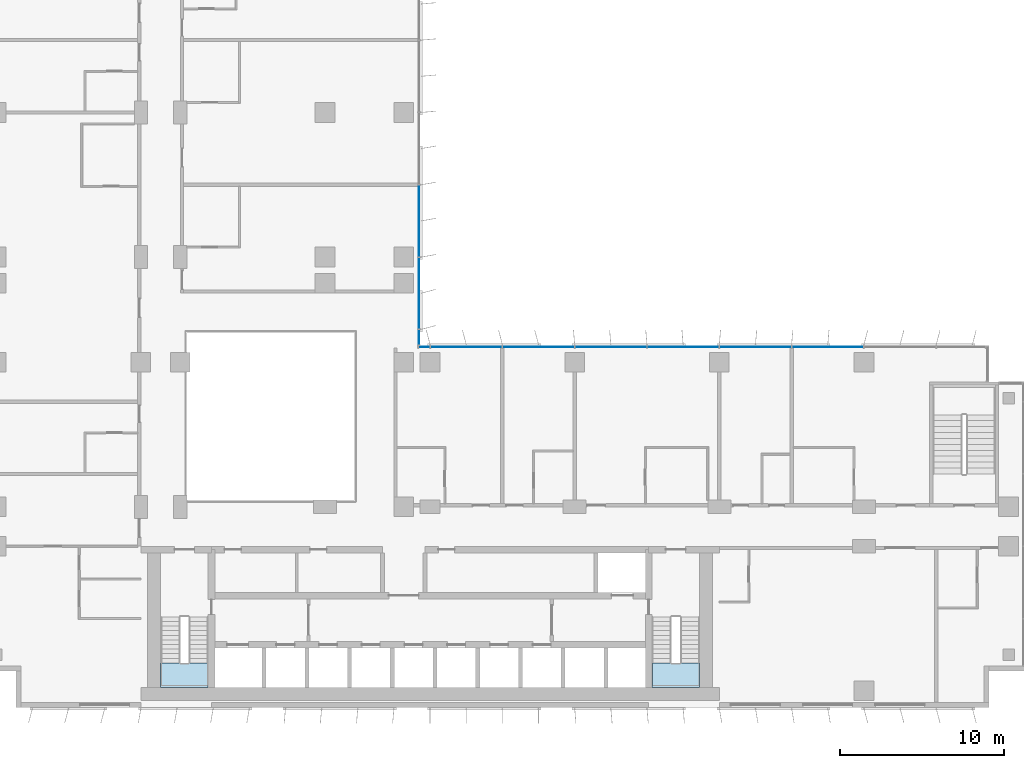
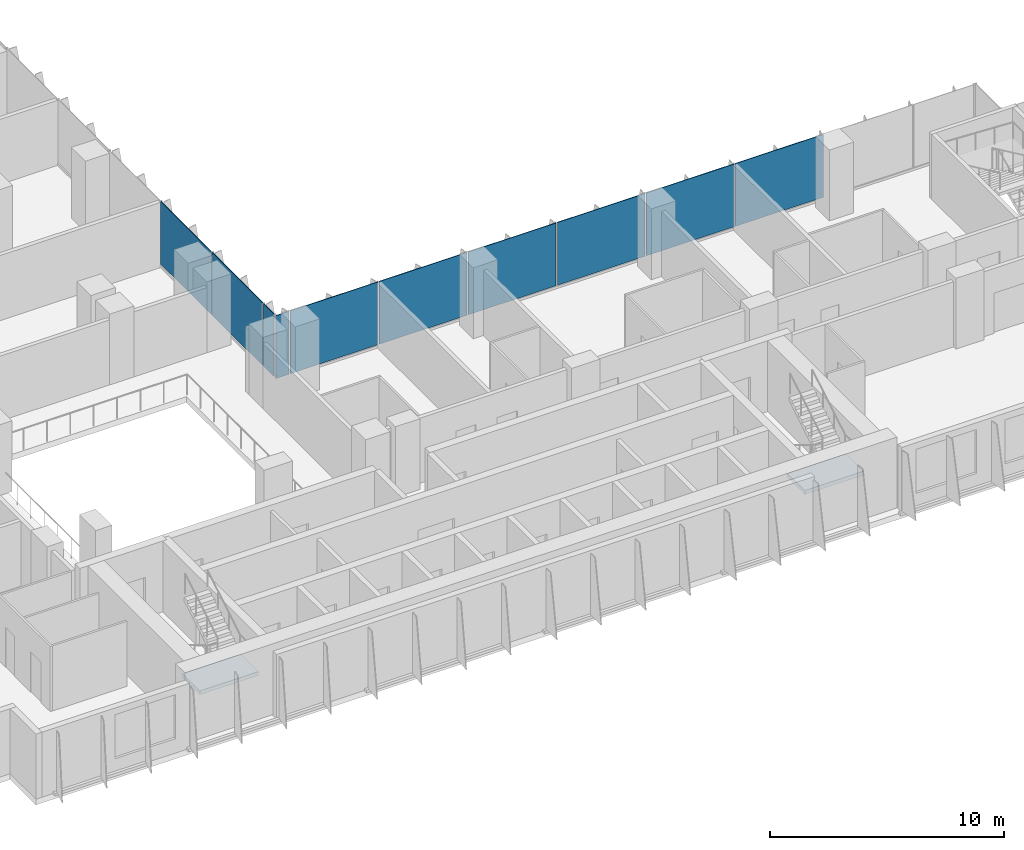
# One storey, part 10 of 22: 10 plates, 2 slabs, 4 elements without a shape of their own.
"""IFC4 building model written with IfcOpenShell, lengths in metres."""

from ifc_helpers import new_model, si_unit, direction, frame, origin, origin_2d, place, context, subcontext, project, spatial, polyline, rectangle, outline, extrude, source, transform, mapped, material, layer, layer_set, type_object, element, aggregate, save


model = new_model("IFC4")

# Units and contexts
model_context = context("Model", 3, precision=1e-05, world=origin(), true_north=direction((0.0, 1.0)))
body_context = subcontext(model_context, "Body", "Model", "MODEL_VIEW")
ifc_project = project(units=[si_unit("LENGTHUNIT", "METRE"), si_unit("AREAUNIT", "SQUARE_METRE"), si_unit("VOLUMEUNIT", "CUBIC_METRE"), si_unit("PLANEANGLEUNIT", "RADIAN"), si_unit("MASSUNIT", "GRAM", prefix="KILO")], contexts=[model_context])

# Site, building, storey
site_placement = place(None, origin())
site = spatial("IfcSite", under=ifc_project, at=site_placement, CompositionType="ELEMENT")
building_placement = place(site_placement, origin())
building = spatial("IfcBuilding", under=site, at=building_placement, Name="Kemantara Hotel Tower", CompositionType="ELEMENT")
storey_placement = place(building_placement, frame((0.0, 0.0, 90.800048828125)))
storey = spatial("IfcBuildingStorey", under=building, at=storey_placement, Name="L21", CompositionType="ELEMENT", Elevation=90.800048828125)

# Stair, slab
ifc_material_1 = material(Name="Concrete fc 40 MPa", Category="concrete")
stair_type = type_object("IfcStairType", Name="Stair 1200 wide 22 risers of 168 x 280 mm", PredefinedType="HALF_TURN_STAIR", material=ifc_material_1)
stair_1_placement = place(storey_placement, origin())
stair_1 = element("IfcStair", 1, at=stair_1_placement, inside=storey, type_object=stair_type, Name="L21 Exit stair ST1", PredefinedType="HALF_TURN_STAIR")
ifc_layer_1 = layer(ifc_material_1, 0.199951171875)
ifc_layer_set_1 = layer_set([ifc_layer_1], Name="Concrete fc 40 MPa")
slab_type = type_object("IfcSlabType", Name="Stair landing 200 mm", PredefinedType="LANDING", material=ifc_layer_set_1)
slab_1_placement = place(storey_placement, frame((0.0, 0.0, 1.64990234375)))
slab_1 = element("IfcSlab", 2, at=slab_1_placement, type_object=slab_type, Name="ST1 landing 1", PredefinedType="LANDING", context=body_context, shape_type="SweptSolid", body=[
    extrude(outline(polyline([(11.0, 2.699951171875), (11.0, 1.199951171875), (13.89990234375, 1.199951171875), (13.89990234375, 2.699951171875), (11.0, 2.699951171875)])), origin(), (0.0, 0.0, 1.0), 0.199951171875),
])
aggregate(stair_1, [slab_1])

stair_2_placement = place(storey_placement, origin())
stair_2 = element("IfcStair", 3, at=stair_2_placement, inside=storey, type_object=stair_type, Name="L21 Exit stair ST2", PredefinedType="HALF_TURN_STAIR")
slab_2_placement = place(storey_placement, frame((0.0, 0.0, 1.64990234375)))
slab_2 = element("IfcSlab", 4, at=slab_2_placement, type_object=slab_type, Name="ST2 landing 1", PredefinedType="LANDING", context=body_context, shape_type="SweptSolid", body=[
    extrude(outline(polyline([(40.89990234375, 2.699951171875), (40.89990234375, 1.199951171875), (43.800048828125, 1.199951171875), (43.800048828125, 2.699951171875), (40.89990234375, 2.699951171875)])), origin(), (0.0, 0.0, 1.0), 0.199951171875),
])
aggregate(stair_2, [slab_2])

# Curtain wall, plates
ifc_material_2 = material(Name="Low-E tinted double insulated glass 36 mm", Category="glass")
curtain_wall_type = type_object("IfcCurtainWallType", Name="TOWER CURTAIN WALL, FRONT FACES", PredefinedType="USERDEFINED", material=ifc_material_2)
curtain_wall_1_placement = place(storey_placement, origin())
curtain_wall_1 = element("IfcCurtainWall", 5, at=curtain_wall_1_placement, inside=storey, type_object=curtain_wall_type, Name="CW4 L21 T2-R13-1", ObjectType="TOWER CURTAIN WALL, FRONT FACES", PredefinedType="USERDEFINED")
ifc_layer_2 = layer(ifc_material_2, 0.035888671875)
ifc_layer_set_2 = layer_set([ifc_layer_2], Name="Low-E tinted double insulated glass 36 mm")
plate_type = type_object("IfcPlateType", Name="TOWER CURTAIN WALL, FRONT FACES PANEL", PredefinedType="CURTAIN_PANEL", material=ifc_layer_set_2)
shared_shape_1 = source(origin(), body_context, "Body", "SweptSolid", [
    extrude(rectangle(XDim=4.340087890625, YDim=0.035888671875, at=origin_2d()), origin(), (0.0, 0.0, 1.0), 3.280029296875),
])
plate_1_placement = place(storey_placement, frame((51.60009765625, 21.925048828125, 0.1201171875), z_axis=(0.0, 0.0, 1.0), x_axis=(-1.0, 0.0, 0.0)))
plate_1 = element("IfcPlate", 6, at=plate_1_placement, type_object=plate_type, Name="CW4 glass panel T2-R13-1.3", PredefinedType="CURTAIN_PANEL", context=body_context, shape_type="MappedRepresentation", body=[
    mapped(shared_shape_1, transform((0.0, 0.0, 0.0))),
])
plate_2_placement = place(storey_placement, frame((47.199951171875, 21.925048828125, 0.1201171875), z_axis=(0.0, 0.0, 1.0), x_axis=(-1.0, 0.0, 0.0)))
plate_2 = element("IfcPlate", 7, at=plate_2_placement, type_object=plate_type, Name="CW4 glass panel T2-R13-1.4", PredefinedType="CURTAIN_PANEL", context=body_context, shape_type="MappedRepresentation", body=[
    mapped(shared_shape_1, transform((0.0, 0.0, 0.0))),
])
plate_3_placement = place(storey_placement, frame((42.800048828125, 21.925048828125, 0.1201171875), z_axis=(0.0, 0.0, 1.0), x_axis=(-1.0, 0.0, 0.0)))
plate_3 = element("IfcPlate", 8, at=plate_3_placement, type_object=plate_type, Name="CW4 glass panel T2-R13-1.5", PredefinedType="CURTAIN_PANEL", context=body_context, shape_type="MappedRepresentation", body=[
    mapped(shared_shape_1, transform((0.0, 0.0, 0.0))),
])
plate_4_placement = place(storey_placement, frame((38.39990234375, 21.925048828125, 0.1201171875), z_axis=(0.0, 0.0, 1.0), x_axis=(-1.0, 0.0, 0.0)))
plate_4 = element("IfcPlate", 9, at=plate_4_placement, type_object=plate_type, Name="CW4 glass panel T2-R13-1.6", PredefinedType="CURTAIN_PANEL", context=body_context, shape_type="MappedRepresentation", body=[
    mapped(shared_shape_1, transform((0.0, 0.0, 0.0))),
])
plate_5_placement = place(storey_placement, frame((34.0, 21.925048828125, 0.1201171875), z_axis=(0.0, 0.0, 1.0), x_axis=(-1.0, 0.0, 0.0)))
plate_5 = element("IfcPlate", 10, at=plate_5_placement, type_object=plate_type, Name="CW4 glass panel T2-R13-1.7", PredefinedType="CURTAIN_PANEL", context=body_context, shape_type="MappedRepresentation", body=[
    mapped(shared_shape_1, transform((0.0, 0.0, 0.0))),
])
plate_6_placement = place(storey_placement, frame((29.60009765625, 21.925048828125, 0.1201171875), z_axis=(0.0, 0.0, 1.0), x_axis=(-1.0, 0.0, 0.0)))
plate_6 = element("IfcPlate", 11, at=plate_6_placement, type_object=plate_type, Name="CW4 glass panel T2-R13-1.8", PredefinedType="CURTAIN_PANEL", context=body_context, shape_type="MappedRepresentation", body=[
    mapped(shared_shape_1, transform((0.0, 0.0, 0.0))),
])

curtain_wall_2_placement = place(storey_placement, origin())
curtain_wall_2 = element("IfcCurtainWall", 12, at=curtain_wall_2_placement, inside=storey, type_object=curtain_wall_type, Name="CW4 L21 T2-R14-1", ObjectType="TOWER CURTAIN WALL, FRONT FACES", PredefinedType="USERDEFINED")
plate_7_placement = place(storey_placement, frame((26.72509765625, 25.199951171875, 0.1201171875), z_axis=(0.0, 0.0, 1.0), x_axis=(0.0, 1.0, 0.0)))
plate_7 = element("IfcPlate", 13, at=plate_7_placement, type_object=plate_type, Name="CW4 glass panel T2-R14-1.2", PredefinedType="CURTAIN_PANEL", context=body_context, shape_type="MappedRepresentation", body=[
    mapped(shared_shape_1, transform((0.0, 0.0, 0.0))),
])
plate_8_placement = place(storey_placement, frame((26.72509765625, 29.60009765625, 0.1201171875), z_axis=(0.0, 0.0, 1.0), x_axis=(0.0, 1.0, 0.0)))
plate_8 = element("IfcPlate", 14, at=plate_8_placement, type_object=plate_type, Name="CW4 glass panel T2-R14-1.3", PredefinedType="CURTAIN_PANEL", context=body_context, shape_type="MappedRepresentation", body=[
    mapped(shared_shape_1, transform((0.0, 0.0, 0.0))),
])

# Plate
shared_shape_2 = source(origin(), body_context, "Body", "SweptSolid", [
    extrude(rectangle(XDim=0.659912109375, YDim=0.035888671875, at=origin_2d()), origin(), (0.0, 0.0, 1.0), 3.280029296875),
])
plate_9_placement = place(storey_placement, frame((27.0400390625, 21.925048828125, 0.1201171875), z_axis=(0.0, 0.0, 1.0), x_axis=(-1.0, 0.0, 0.0)))
plate_9 = element("IfcPlate", 15, at=plate_9_placement, type_object=plate_type, Name="CW4 glass panel T2-R13-1.9", PredefinedType="CURTAIN_PANEL", context=body_context, shape_type="MappedRepresentation", body=[
    mapped(shared_shape_2, transform((0.0, 0.0, 0.0))),
])

aggregate(curtain_wall_1, [plate_1, plate_2, plate_3, plate_4, plate_5, plate_6, plate_9])

shared_shape_3 = source(origin(), body_context, "Body", "SweptSolid", [
    extrude(rectangle(XDim=0.909912109375, YDim=0.035888671875, at=origin_2d()), origin(), (0.0, 0.0, 1.0), 3.280029296875),
])
plate_10_placement = place(storey_placement, frame((26.72509765625, 22.514892578125, 0.1201171875), z_axis=(0.0, 0.0, 1.0), x_axis=(0.0, 1.0, 0.0)))
plate_10 = element("IfcPlate", 16, at=plate_10_placement, type_object=plate_type, Name="CW4 glass panel T2-R14-1.1", PredefinedType="CURTAIN_PANEL", context=body_context, shape_type="MappedRepresentation", body=[
    mapped(shared_shape_3, transform((0.0, 0.0, 0.0))),
])

aggregate(curtain_wall_2, [plate_10, plate_7, plate_8])

save(model, "model.ifc")
